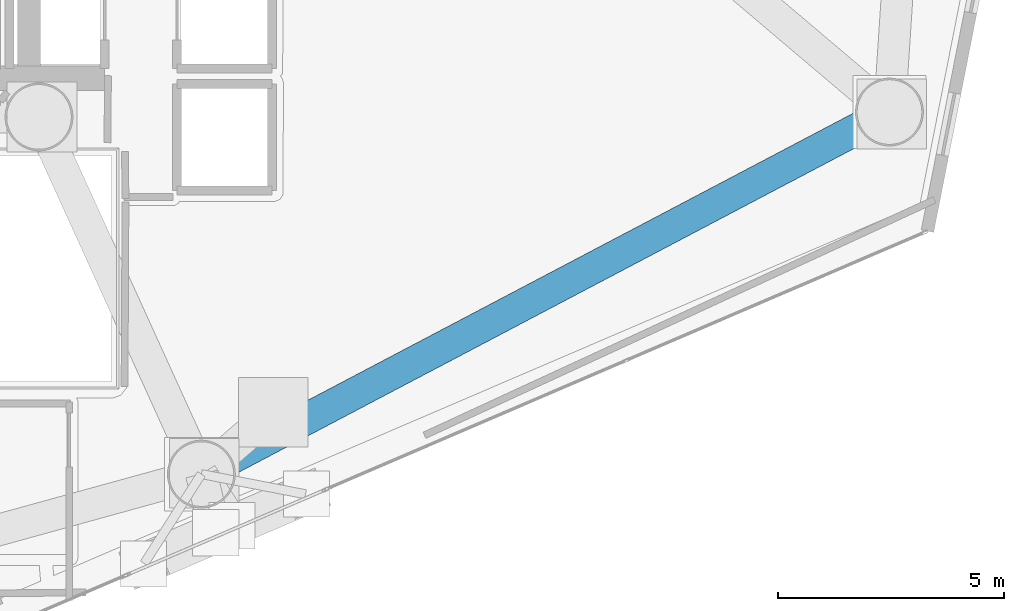
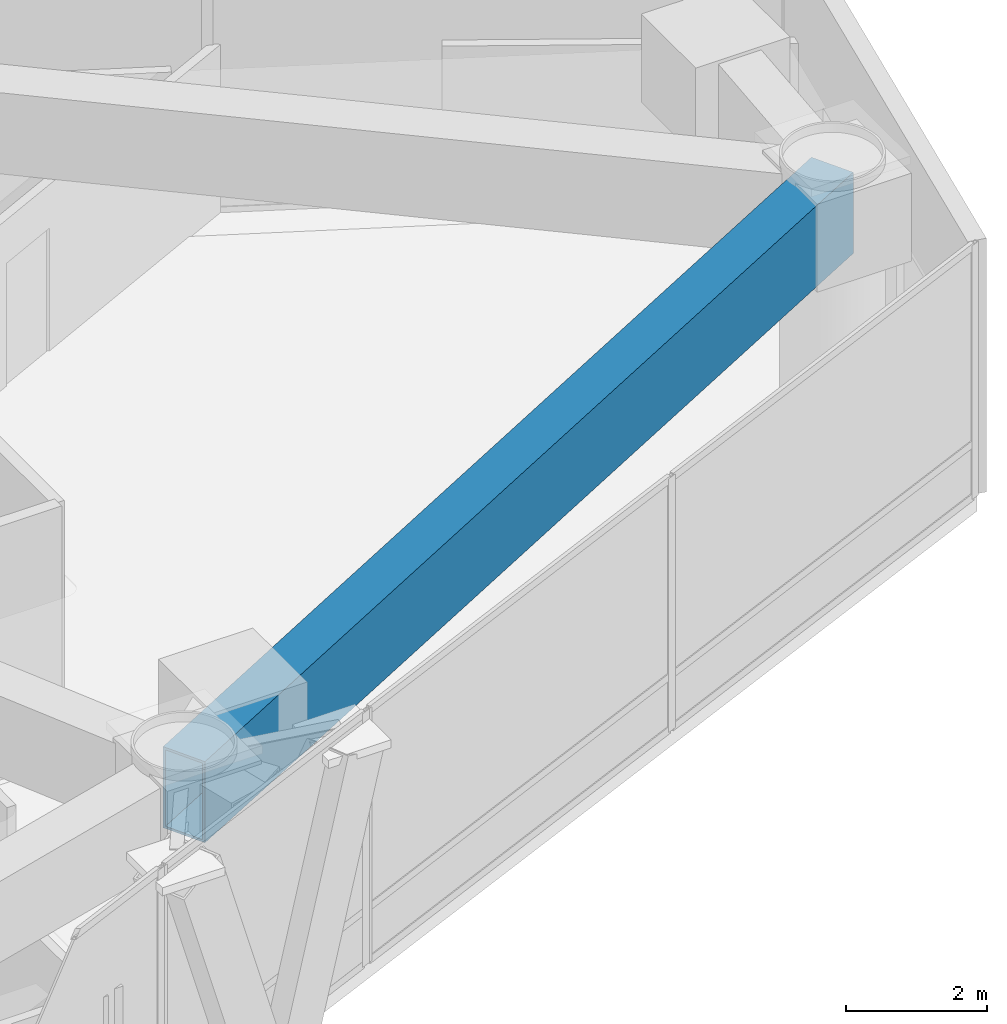
# One storey, part 6 of 22: 1 beam.
"""IFC4 building model written with IfcOpenShell, lengths in metres."""

from ifc_helpers import new_model, si_unit, direction, frame, origin, origin_2d, place, context, subcontext, project, spatial, hollow_rectangle, extrude, material, material_profile, profile_set, type_object, element, save


model = new_model("IFC4")

# Units and contexts
model_context = context("Model", 3, precision=1e-05, world=origin(), true_north=direction((0.0, 1.0)))
body_context = subcontext(model_context, "Body", "Model", "MODEL_VIEW")
ifc_project = project(units=[si_unit("LENGTHUNIT", "METRE"), si_unit("AREAUNIT", "SQUARE_METRE"), si_unit("VOLUMEUNIT", "CUBIC_METRE"), si_unit("PLANEANGLEUNIT", "RADIAN"), si_unit("MASSUNIT", "GRAM", prefix="KILO")], contexts=[model_context])

# Site, building, storey
site_placement = place(None, origin())
site = spatial("IfcSite", under=ifc_project, at=site_placement, CompositionType="ELEMENT")
building_placement = place(site_placement, origin())
building = spatial("IfcBuilding", under=site, at=building_placement, Name="Qianvela Tower", CompositionType="ELEMENT")
storey_placement = place(building_placement, frame((0.0, 0.0, 138.5)))
storey = spatial("IfcBuildingStorey", under=building, at=storey_placement, Name="L35", CompositionType="ELEMENT", Elevation=138.5)

# Beam
ifc_material = material(Name="Steel Q420GJC", Category="steel")
ifc_material_profile = material_profile(ifc_material, hollow_rectangle(XDim=0.699951171875, YDim=1.39990234375, WallThickness=0.0400390625, at=origin_2d()), Name="TG-BOX-1400x700x40")
ifc_profile_set = profile_set([ifc_material_profile], Name="Steel Q420GJC")
beam_type = type_object("IfcBeamType", Name="BM-TG-RAD-1400", PredefinedType="BEAM", material=ifc_profile_set)
beam_placement = place(storey_placement, frame((41.988037109375, 15.95703125, 3.677978515625), z_axis=(0.884971229381, 0.465645705627, 0.0), x_axis=(-0.465645705627, 0.884971229381, 0.0)))
element("IfcBeam", 1, at=beam_placement, inside=storey, type_object=beam_type, Name="L35 Perimeter Belt-Truss Top Ring Girder 6", PredefinedType="BEAM", context=body_context, shape_type="SweptSolid", body=[
    extrude(hollow_rectangle(XDim=0.699951171875, YDim=1.39990234375, WallThickness=0.0400390625, at=origin_2d()), origin(), (0.0, 0.0, 1.0), 17.1826171875),
])

save(model, "model.ifc")
